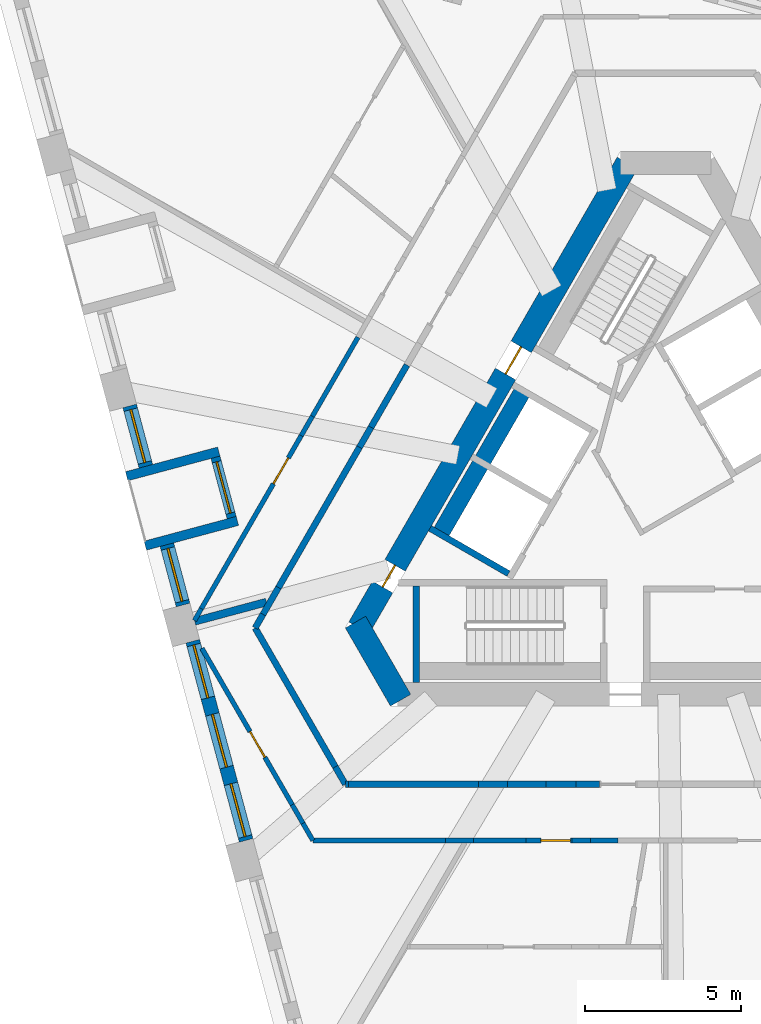
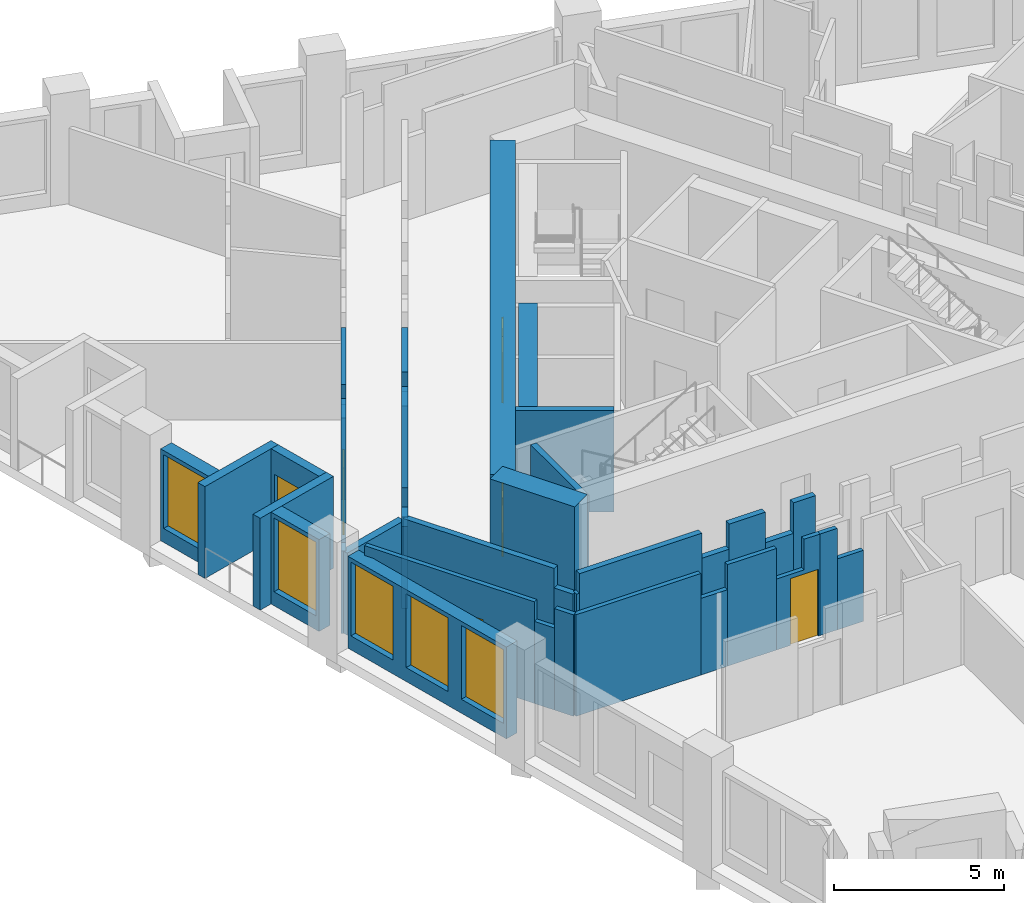
# One storey, part 3 of 13: 38 walls, 6 doors, 5 windows, 11 openings.
"""IFC4 building model written with IfcOpenShell, lengths in metres."""

from ifc_helpers import new_model, si_unit, direction, frame, frame_2d, origin, place, context, subcontext, project, spatial, polyline, rectangle, outline, extrude, material, layer, layer_set, type_object, element, fill, save


model = new_model("IFC4")

# Units and contexts
model_context = context("Model", 3, precision=1e-05, world=origin(), true_north=direction((0.0, 1.0)))
body_context = subcontext(model_context, "Body", "Model", "MODEL_VIEW")
ifc_project = project(units=[si_unit("LENGTHUNIT", "METRE"), si_unit("AREAUNIT", "SQUARE_METRE"), si_unit("VOLUMEUNIT", "CUBIC_METRE"), si_unit("PLANEANGLEUNIT", "RADIAN"), si_unit("MASSUNIT", "GRAM", prefix="KILO")], contexts=[model_context])

# Site, building, storey
site_placement = place(None, origin())
site = spatial("IfcSite", under=ifc_project, at=site_placement, CompositionType="ELEMENT")
building_placement = place(site_placement, origin())
building = spatial("IfcBuilding", under=site, at=building_placement, Name="Tramontana Tower", CompositionType="ELEMENT")
storey_placement = place(building_placement, frame((0.0, 0.0, 200.0)))
storey = spatial("IfcBuildingStorey", under=building, at=storey_placement, Name="L46", CompositionType="ELEMENT", Elevation=200.0)

# Wall, openings, doors
ifc_material_1 = material(Name="Concrete 70 MPa", Category="concrete")
ifc_layer_1 = layer(ifc_material_1, 0.75)
ifc_layer_set_1 = layer_set([ifc_layer_1], Name="Core wall 750 70 MPa")
wall_type_1 = type_object("IfcWallType", Name="Core wall 750 70 MPa", PredefinedType="SHEAR", material=ifc_layer_set_1)
wall_1_placement = place(storey_placement, frame((-1.226806640625, 10.625, 0.0), z_axis=(0.0, 0.0, 1.0), x_axis=(-0.500002161919, -0.866024155596, 0.0)))
wall_1 = element("IfcWall", 1, at=wall_1_placement, inside=storey, type_object=wall_type_1, Name="Core wall C1 L46", PredefinedType="SHEAR", context=body_context, shape_type="SweptSolid", body=[
    extrude(rectangle(XDim=17.17626953125, YDim=0.75, at=frame_2d((8.588134765625, 0.0))), origin(), (0.0, 0.0, 1.0), 4.0),
])
opening_1_placement = place(wall_1_placement, frame((6.79296875, 0.0, 0.0)))
opening_1 = element("IfcOpeningElement", 2, at=opening_1_placement, cuts=wall_1, Name="Opening RG1", PredefinedType="OPENING", context=body_context, shape_type="SweptSolid", body=[
    extrude(rectangle(XDim=1.0, YDim=2.39990234375, at=frame_2d((0.5, 1.199951171875))), frame((0.0, 0.385009765625, 0.0), z_axis=(0.0, -1.0, 0.0), x_axis=(1.0, 0.0, 0.0)), (0.0, 0.0, 1.0), 0.77001953125),
])
opening_2_placement = place(wall_1_placement, frame((14.863525390625, 0.0, 0.0)))
opening_2 = element("IfcOpeningElement", 3, at=opening_2_placement, cuts=wall_1, Name="Opening PD1", PredefinedType="OPENING", context=body_context, shape_type="SweptSolid", body=[
    extrude(rectangle(XDim=0.800048828125, YDim=2.10009765625, at=frame_2d((0.39990234375, 1.050048828125))), frame((0.0, 0.385009765625, 0.0), z_axis=(0.0, -1.0, 0.0), x_axis=(1.0, 0.0, 0.0)), (0.0, 0.0, 1.0), 0.77001953125),
])
ifc_material_2 = material(Name="Painted steel", Category="steel")
door_type_1 = type_object("IfcDoorType", Name="CUPBOARD DOOR 800", OperationType="SINGLE_SWING_LEFT", PredefinedType="DOOR", material=ifc_material_2)
door_1_placement = place(opening_2_placement, origin())
door_1 = element("IfcDoor", 4, at=door_1_placement, inside=storey, type_object=door_type_1, Name="Door PD1", OperationType="SINGLE_SWING_RIGHT", OverallHeight=2.10009765625, OverallWidth=0.800048828125, PredefinedType="DOOR", context=body_context, shape_type="SweptSolid", body=[
    extrude(rectangle(XDim=0.800048828125, YDim=2.10009765625, at=frame_2d((0.39990234375, 1.050048828125))), frame((0.0, 0.02490234375, 0.0), z_axis=(0.0, -1.0, 0.0), x_axis=(1.0, 0.0, 0.0)), (0.0, 0.0, 1.0), 0.050048828125),
])
fill(opening_2, door_1)
ifc_material_3 = material(Name="Painted steel", Category="steel")
door_type_2 = type_object("IfcDoorType", Name="RING DOOR 1000", OperationType="SINGLE_SWING_LEFT", PredefinedType="DOOR", material=ifc_material_3)
door_2_placement = place(opening_1_placement, origin())
door_2 = element("IfcDoor", 5, at=door_2_placement, inside=storey, type_object=door_type_2, Name="Door RG1", OperationType="SINGLE_SWING_LEFT", OverallHeight=2.39990234375, OverallWidth=1.0, PredefinedType="DOOR", context=body_context, shape_type="SweptSolid", body=[
    extrude(rectangle(XDim=1.0, YDim=2.39990234375, at=frame_2d((0.5, 1.199951171875))), frame((0.0, 0.02490234375, 0.0), z_axis=(0.0, -1.0, 0.0), x_axis=(1.0, 0.0, 0.0)), (0.0, 0.0, 1.0), 0.050048828125),
])
fill(opening_1, door_2)

# Walls
wall_2_placement = place(storey_placement, frame((-9.923095703125, -4.0625, 0.0), z_axis=(0.0, 0.0, 1.0), x_axis=(0.499995765644, -0.866027848477, 0.0)))
element("IfcWall", 6, at=wall_2_placement, inside=storey, type_object=wall_type_1, Name="Core wall C2 L46", PredefinedType="SHEAR", context=body_context, shape_type="SweptSolid", body=[
    extrude(rectangle(XDim=2.88671875, YDim=0.75, at=frame_2d((1.443359375, 0.0))), origin(), (0.0, 0.0, 1.0), 4.0),
])
ifc_material_4 = material(Name="Blockwork", Category="masonry")
ifc_layer_2 = layer(ifc_material_4, 0.199951171875)
ifc_layer_set_2 = layer_set([ifc_layer_2], Name="ENTRY WALL 200")
wall_type_2 = type_object("IfcWallType", Name="ENTRY WALL 200", PredefinedType="SOLIDWALL", material=ifc_layer_set_2)
wall_3_placement = place(storey_placement, frame((-2.1220703125, -9.25, 0.0), z_axis=(0.0, 0.0, 1.0), x_axis=(-1.0, 0.0, 0.0)))
element("IfcWall", 7, at=wall_3_placement, inside=storey, type_object=wall_type_2, Name="Wall v50-ew2-8", PredefinedType="SOLIDWALL", context=body_context, shape_type="SweptSolid", body=[
    extrude(rectangle(XDim=0.749755859375, YDim=0.199951171875, at=frame_2d((0.375, 0.0))), origin(), (0.0, 0.0, 1.0), 3.64990234375),
])
wall_4_placement = place(storey_placement, frame((-2.871826171875, -9.25, 0.0), z_axis=(0.0, 0.0, 1.0), x_axis=(-1.0, 0.0, 0.0)))
element("IfcWall", 8, at=wall_4_placement, inside=storey, type_object=wall_type_2, Name="Wall v50-ew2-9", PredefinedType="SOLIDWALL", context=body_context, shape_type="SweptSolid", body=[
    extrude(rectangle(XDim=0.957275390625, YDim=0.199951171875, at=frame_2d((0.478515625, 0.0))), origin(), (0.0, 0.0, 1.0), 2.550048828125),
])
wall_5_placement = place(storey_placement, frame((-3.8291015625, -9.25, 0.0), z_axis=(0.0, 0.0, 1.0), x_axis=(-1.0, 0.0, 0.0)))
element("IfcWall", 9, at=wall_5_placement, inside=storey, type_object=wall_type_2, Name="Wall v50-ew2-10", PredefinedType="SOLIDWALL", context=body_context, shape_type="SweptSolid", body=[
    extrude(rectangle(XDim=1.22705078125, YDim=0.199951171875, at=frame_2d((0.613525390625, 0.0))), origin(), (0.0, 0.0, 1.0), 3.64990234375),
])
wall_6_placement = place(storey_placement, frame((-5.05615234375, -9.25, 0.0), z_axis=(0.0, 0.0, 1.0), x_axis=(-1.0, 0.0, 0.0)))
element("IfcWall", 10, at=wall_6_placement, inside=storey, type_object=wall_type_2, Name="Wall v50-ew2-11", PredefinedType="SOLIDWALL", context=body_context, shape_type="SweptSolid", body=[
    extrude(rectangle(XDim=0.931640625, YDim=0.199951171875, at=frame_2d((0.4658203125, 0.0))), origin(), (0.0, 0.0, 1.0), 2.75),
])
wall_7_placement = place(storey_placement, frame((-5.98779296875, -9.25, 0.0), z_axis=(0.0, 0.0, 1.0), x_axis=(-1.0, 0.0, 0.0)))
element("IfcWall", 11, at=wall_7_placement, inside=storey, type_object=wall_type_2, Name="Wall v50-ew2-12", PredefinedType="SOLIDWALL", context=body_context, shape_type="SweptSolid", body=[
    extrude(rectangle(XDim=4.1552734375, YDim=0.199951171875, at=frame_2d((2.07763671875, 0.0))), origin(), (0.0, 0.0, 1.0), 3.64990234375),
])
wall_8_placement = place(storey_placement, frame((-10.14306640625, -9.25, 0.0), z_axis=(0.0, 0.0, 1.0), x_axis=(-1.0, 0.0, 0.0)))
element("IfcWall", 12, at=wall_8_placement, inside=storey, type_object=wall_type_2, Name="Wall v50-ew2-13", PredefinedType="SOLIDWALL", context=body_context, shape_type="SweptSolid", body=[
    extrude(rectangle(XDim=0.10498046875, YDim=0.199951171875, at=frame_2d((0.052490234375, 0.0))), origin(), (0.0, 0.0, 1.0), 2.949951171875),
])
wall_9_placement = place(storey_placement, frame((-10.248046875, -9.25, 0.0), z_axis=(0.0, 0.0, 1.0), x_axis=(-0.499733411443, 0.86617926406, 0.0)))
element("IfcWall", 13, at=wall_9_placement, inside=storey, type_object=wall_type_2, Name="Wall v50-ew3-0", PredefinedType="SOLIDWALL", context=body_context, shape_type="SweptSolid", body=[
    extrude(rectangle(XDim=0.642822265625, YDim=0.199951171875, at=frame_2d((0.3212890625, 0.0))), origin(), (0.0, 0.0, 1.0), 2.949951171875),
])
wall_10_placement = place(storey_placement, frame((-10.5693359375, -8.693115234375, 0.0), z_axis=(0.0, 0.0, 1.0), x_axis=(-0.500028638513, 0.8660088687, 0.0)))
element("IfcWall", 14, at=wall_10_placement, inside=storey, type_object=wall_type_2, Name="Wall v50-ew3-1", PredefinedType="SOLIDWALL", context=body_context, shape_type="SweptSolid", body=[
    extrude(rectangle(XDim=5.130615234375, YDim=0.199951171875, at=frame_2d((2.5654296875, 0.0))), origin(), (0.0, 0.0, 1.0), 3.64990234375),
])
wall_11_placement = place(storey_placement, frame((-13.134765625, -4.25, 0.0), z_axis=(0.0, 0.0, 1.0), x_axis=(0.500002592159, 0.866023907196, 0.0)))
element("IfcWall", 15, at=wall_11_placement, inside=storey, type_object=wall_type_2, Name="Wall v50-ew4-0", PredefinedType="SOLIDWALL", context=body_context, shape_type="SweptSolid", body=[
    extrude(rectangle(XDim=0.5029296875, YDim=0.199951171875, at=frame_2d((0.25146484375, 0.0))), origin(), (0.0, 0.0, 1.0), 3.64990234375),
])
wall_12_placement = place(storey_placement, frame((-12.88330078125, -3.814453125, 0.0), z_axis=(0.0, 0.0, 1.0), x_axis=(0.500063959222, 0.865988473761, 0.0)))
element("IfcWall", 16, at=wall_12_placement, inside=storey, type_object=wall_type_2, Name="Wall v50-ew4-1", PredefinedType="SOLIDWALL", context=body_context, shape_type="SweptSolid", body=[
    extrude(rectangle(XDim=0.989990234375, YDim=0.199951171875, at=frame_2d((0.4951171875, 0.0))), origin(), (0.0, 0.0, 1.0), 2.949951171875),
])
wall_13_placement = place(storey_placement, frame((-12.38818359375, -2.95703125, 0.0), z_axis=(0.0, 0.0, 1.0), x_axis=(0.499990271856, 0.866031020258, 0.0)))
element("IfcWall", 17, at=wall_13_placement, inside=storey, type_object=wall_type_2, Name="Wall v50-ew4-2", PredefinedType="SOLIDWALL", context=body_context, shape_type="SweptSolid", body=[
    extrude(rectangle(XDim=5.181640625, YDim=0.199951171875, at=frame_2d((2.5908203125, 0.0))), origin(), (0.0, 0.0, 1.0), 3.64990234375),
])
wall_14_placement = place(storey_placement, frame((-9.79736328125, 1.530517578125, 0.0), z_axis=(0.0, 0.0, 1.0), x_axis=(0.499931655587, 0.866064858854, 0.0)))
element("IfcWall", 18, at=wall_14_placement, inside=storey, type_object=wall_type_2, Name="Wall v50-ew4-3", PredefinedType="SOLIDWALL", context=body_context, shape_type="SweptSolid", body=[
    extrude(rectangle(XDim=0.74072265625, YDim=0.199951171875, at=frame_2d((0.370361328125, 0.0))), origin(), (0.0, 0.0, 1.0), 2.949951171875),
])
wall_15_placement = place(storey_placement, frame((-9.427001953125, 2.172119140625, 0.0), z_axis=(0.0, 0.0, 1.0), x_axis=(0.500013761451, 0.866017458461, 0.0)))
element("IfcWall", 19, at=wall_15_placement, inside=storey, type_object=wall_type_2, Name="Wall v50-ew4-4", PredefinedType="SOLIDWALL", context=body_context, shape_type="SweptSolid", body=[
    extrude(rectangle(XDim=2.29736328125, YDim=0.199951171875, at=frame_2d((1.148681640625, 0.0))), origin(), (0.0, 0.0, 1.0), 3.64990234375),
])

# Wall, opening, window
ifc_material_5 = material(Name="Precast concrete 60 MPa", Category="concrete")
ifc_layer_3 = layer(ifc_material_5, 0.449951171875)
ifc_layer_set_3 = layer_set([ifc_layer_3], Name="Precast concrete 60 MPa, 450 mm")
wall_type_3 = type_object("IfcWallType", Name="EW1 Stone-faced precast wall 450", PredefinedType="SOLIDWALL", material=ifc_layer_set_3)
wall_16_placement = place(storey_placement, frame((-17.147705078125, 2.853271484375, 0.0), z_axis=(0.0, 0.0, 1.0), x_axis=(0.258803270362, -0.96593005298, 0.0)))
wall_16 = element("IfcWall", 20, at=wall_16_placement, inside=storey, type_object=wall_type_3, Name="External wall L46 face 0 bay 3", PredefinedType="SOLIDWALL", context=body_context, shape_type="SweptSolid", body=[
    extrude(rectangle(XDim=1.998046875, YDim=0.449951171875, at=frame_2d((0.9990234375, 0.0))), origin(), (0.0, 0.0, 1.0), 3.300048828125),
])
opening_3_placement = place(wall_16_placement, frame((0.1240234375, 0.0, 0.5)))
opening_3 = element("IfcOpeningElement", 21, at=opening_3_placement, cuts=wall_16, Name="Opening M2", PredefinedType="OPENING", context=body_context, shape_type="SweptSolid", body=[
    extrude(rectangle(XDim=1.75, YDim=2.64990234375, at=frame_2d((0.875, 1.324951171875))), frame((0.0, 0.23486328125, 0.0), z_axis=(0.0, -1.0, 0.0), x_axis=(1.0, 0.0, 0.0)), (0.0, 0.0, 1.0), 0.469970703125),
])
ifc_material_6 = material(Name="Aluminum frame, double glazing unit", Category="aluminium")
window_type = type_object("IfcWindowType", Name="M2 Window 1.75 x 2.65", PartitioningType="SINGLE_PANEL", PredefinedType="WINDOW", material=ifc_material_6)
window_1_placement = place(opening_3_placement, origin())
window_1 = element("IfcWindow", 22, at=window_1_placement, inside=storey, type_object=window_type, Name="Window M2 L46 face 0 module 7", OverallHeight=2.64990234375, OverallWidth=1.75, PartitioningType="SINGLE_PANEL", PredefinedType="WINDOW", context=body_context, shape_type="SweptSolid", body=[
    extrude(rectangle(XDim=1.75, YDim=2.64990234375, at=frame_2d((0.875, 1.324951171875))), frame((0.0, 0.030029296875, 0.0), z_axis=(0.0, -1.0, 0.0), x_axis=(1.0, 0.0, 0.0)), (0.0, 0.0, 1.0), 0.06005859375),
])
fill(opening_3, window_1)

wall_17_placement = place(storey_placement, frame((-15.958251953125, -1.586181640625, 0.0), z_axis=(0.0, 0.0, 1.0), x_axis=(0.258772727493, -0.965938235865, 0.0)))
wall_17 = element("IfcWall", 23, at=wall_17_placement, inside=storey, type_object=wall_type_3, Name="External wall L46 face 0 bay 3", PredefinedType="SOLIDWALL", context=body_context, shape_type="SweptSolid", body=[
    extrude(rectangle(XDim=1.998291015625, YDim=0.449951171875, at=frame_2d((0.9990234375, 0.0))), origin(), (0.0, 0.0, 1.0), 3.300048828125),
])
opening_4_placement = place(wall_17_placement, frame((0.1240234375, 0.0, 0.5)))
opening_4 = element("IfcOpeningElement", 24, at=opening_4_placement, cuts=wall_17, Name="Opening M2", PredefinedType="OPENING", context=body_context, shape_type="SweptSolid", body=[
    extrude(rectangle(XDim=1.75, YDim=2.64990234375, at=frame_2d((0.875, 1.324951171875))), frame((0.0, 0.23486328125, 0.0), z_axis=(0.0, -1.0, 0.0), x_axis=(1.0, 0.0, 0.0)), (0.0, 0.0, 1.0), 0.469970703125),
])
window_2_placement = place(opening_4_placement, origin())
window_2 = element("IfcWindow", 25, at=window_2_placement, inside=storey, type_object=window_type, Name="Window M2 L46 face 0 module 9", OverallHeight=2.64990234375, OverallWidth=1.75, PartitioningType="SINGLE_PANEL", PredefinedType="WINDOW", context=body_context, shape_type="SweptSolid", body=[
    extrude(rectangle(XDim=1.75, YDim=2.64990234375, at=frame_2d((0.875, 1.324951171875))), frame((0.0, 0.030029296875, 0.0), z_axis=(0.0, -1.0, 0.0), x_axis=(1.0, 0.0, 0.0)), (0.0, 0.0, 1.0), 0.06005859375),
])
fill(opening_4, window_2)

# Wall, openings, windows
wall_18_placement = place(storey_placement, frame((-15.13037109375, -4.67529296875, 0.0), z_axis=(0.0, 0.0, 1.0), x_axis=(0.258791602952, -0.965933178973, 0.0)))
wall_18 = element("IfcWall", 26, at=wall_18_placement, inside=storey, type_object=wall_type_3, Name="External wall L46 face 0 bay 4", PredefinedType="SOLIDWALL", context=body_context, shape_type="SweptSolid", body=[
    extrude(rectangle(XDim=6.59423828125, YDim=0.449951171875, at=frame_2d((3.297119140625, 0.0))), origin(), (0.0, 0.0, 1.0), 3.300048828125),
])
opening_5_placement = place(wall_18_placement, frame((0.1240234375, 0.0, 0.5)))
opening_5 = element("IfcOpeningElement", 27, at=opening_5_placement, cuts=wall_18, Name="Opening M2", PredefinedType="OPENING", context=body_context, shape_type="SweptSolid", body=[
    extrude(rectangle(XDim=1.75, YDim=2.64990234375, at=frame_2d((0.875, 1.324951171875))), frame((0.0, 0.23486328125, 0.0), z_axis=(0.0, -1.0, 0.0), x_axis=(1.0, 0.0, 0.0)), (0.0, 0.0, 1.0), 0.469970703125),
])
opening_6_placement = place(wall_18_placement, frame((2.422119140625, 0.0, 0.5)))
opening_6 = element("IfcOpeningElement", 28, at=opening_6_placement, cuts=wall_18, Name="Opening M2", PredefinedType="OPENING", context=body_context, shape_type="SweptSolid", body=[
    extrude(rectangle(XDim=1.75, YDim=2.64990234375, at=frame_2d((0.875, 1.324951171875))), frame((0.0, 0.23486328125, 0.0), z_axis=(0.0, -1.0, 0.0), x_axis=(1.0, 0.0, 0.0)), (0.0, 0.0, 1.0), 0.469970703125),
])
opening_7_placement = place(wall_18_placement, frame((4.72021484375, 0.0, 0.5)))
opening_7 = element("IfcOpeningElement", 29, at=opening_7_placement, cuts=wall_18, Name="Opening M2", PredefinedType="OPENING", context=body_context, shape_type="SweptSolid", body=[
    extrude(rectangle(XDim=1.75, YDim=2.64990234375, at=frame_2d((0.875, 1.324951171875))), frame((0.0, 0.23486328125, 0.0), z_axis=(0.0, -1.0, 0.0), x_axis=(1.0, 0.0, 0.0)), (0.0, 0.0, 1.0), 0.469970703125),
])
window_3_placement = place(opening_5_placement, origin())
window_3 = element("IfcWindow", 30, at=window_3_placement, inside=storey, type_object=window_type, Name="Window M2 L46 face 0 module 10", OverallHeight=2.64990234375, OverallWidth=1.75, PartitioningType="SINGLE_PANEL", PredefinedType="WINDOW", context=body_context, shape_type="SweptSolid", body=[
    extrude(rectangle(XDim=1.75, YDim=2.64990234375, at=frame_2d((0.875, 1.324951171875))), frame((0.0, 0.030029296875, 0.0), z_axis=(0.0, -1.0, 0.0), x_axis=(1.0, 0.0, 0.0)), (0.0, 0.0, 1.0), 0.06005859375),
])
fill(opening_5, window_3)
window_4_placement = place(opening_6_placement, origin())
window_4 = element("IfcWindow", 31, at=window_4_placement, inside=storey, type_object=window_type, Name="Window M2 L46 face 0 module 11", OverallHeight=2.64990234375, OverallWidth=1.75, PartitioningType="SINGLE_PANEL", PredefinedType="WINDOW", context=body_context, shape_type="SweptSolid", body=[
    extrude(rectangle(XDim=1.75, YDim=2.64990234375, at=frame_2d((0.875, 1.324951171875))), frame((0.0, 0.030029296875, 0.0), z_axis=(0.0, -1.0, 0.0), x_axis=(1.0, 0.0, 0.0)), (0.0, 0.0, 1.0), 0.06005859375),
])
fill(opening_6, window_4)
window_5_placement = place(opening_7_placement, origin())
window_5 = element("IfcWindow", 32, at=window_5_placement, inside=storey, type_object=window_type, Name="Window M2 L46 face 0 module 12", OverallHeight=2.64990234375, OverallWidth=1.75, PartitioningType="SINGLE_PANEL", PredefinedType="WINDOW", context=body_context, shape_type="SweptSolid", body=[
    extrude(rectangle(XDim=1.75, YDim=2.64990234375, at=frame_2d((0.875, 1.324951171875))), frame((0.0, 0.030029296875, 0.0), z_axis=(0.0, -1.0, 0.0), x_axis=(1.0, 0.0, 0.0)), (0.0, 0.0, 1.0), 0.06005859375),
])
fill(opening_7, window_5)

# Wall, opening, door
ifc_material_7 = material(Name="Precast concrete 60 MPa", Category="concrete")
ifc_layer_4 = layer(ifc_material_7, 0.300048828125)
ifc_layer_set_4 = layer_set([ifc_layer_4], Name="LW1 Stone-faced loggia wall 300")
wall_type_4 = type_object("IfcWallType", Name="LW1 Stone-faced loggia wall 300", PredefinedType="SOLIDWALL", material=ifc_layer_set_4)
wall_19_placement = place(storey_placement, frame((-14.40380859375, 1.20947265625, 0.0), z_axis=(0.0, 0.0, 1.0), x_axis=(0.258772727493, -0.965938235865, 0.0)))
wall_19 = element("IfcWall", 33, at=wall_19_placement, inside=storey, type_object=wall_type_4, Name="Loggia wall L46 G5S0.7", PredefinedType="SOLIDWALL", context=body_context, shape_type="SweptSolid", body=[
    extrude(rectangle(XDim=1.998291015625, YDim=0.300048828125, at=frame_2d((0.9990234375, 0.0))), origin(), (0.0, 0.0, 1.0), 3.300048828125),
])
opening_8_placement = place(wall_19_placement, frame((0.14892578125, 0.0, 0.0)))
opening_8 = element("IfcOpeningElement", 34, at=opening_8_placement, cuts=wall_19, Name="Opening BD-5S0-07", PredefinedType="OPENING", context=body_context, shape_type="SweptSolid", body=[
    extrude(rectangle(XDim=1.699951171875, YDim=2.449951171875, at=frame_2d((0.85009765625, 1.22509765625))), frame((0.0, 0.159912109375, 0.0), z_axis=(0.0, -1.0, 0.0), x_axis=(1.0, 0.0, 0.0)), (0.0, 0.0, 1.0), 0.320068359375),
])
ifc_material_8 = material(Name="Aluminum frame, double glazing unit", Category="aluminium")
door_type_3 = type_object("IfcDoorType", Name="BD2 Sliding door 1.7 x 2.45", OperationType="SLIDING_TO_LEFT", PredefinedType="DOOR", material=ifc_material_8)
door_3_placement = place(opening_8_placement, origin())
door_3 = element("IfcDoor", 35, at=door_3_placement, inside=storey, type_object=door_type_3, Name="Loggia door L46 G5S0.7", OperationType="SLIDING_TO_LEFT", OverallHeight=2.449951171875, OverallWidth=1.699951171875, PredefinedType="DOOR", context=body_context, shape_type="SweptSolid", body=[
    extrude(rectangle(XDim=1.699951171875, YDim=2.449951171875, at=frame_2d((0.85009765625, 1.22509765625))), frame((0.0, 0.02490234375, 0.0), z_axis=(0.0, -1.0, 0.0), x_axis=(1.0, 0.0, 0.0)), (0.0, 0.0, 1.0), 0.050048828125),
])
fill(opening_8, door_3)

# Walls
for number, where, z_axis, x_axis, name in (
    (36, (-17.243896484375, 0.603759765625, 0.0), (0.0, 0.0, 1.0), (0.965932688119, 0.258793435045, 0.0), "Loggia return L46 G5S0.7a"),
    (37, (-16.64892578125, -1.615966796875, 0.0), (0.0, 0.0, 1.0), (0.965932688119, 0.258793435045, 0.0), "Loggia return L46 G5S0.7b"),
):
    element("IfcWall", number, at=place(storey_placement, frame(where, z_axis=z_axis, x_axis=x_axis)), inside=storey, type_object=wall_type_4, Name=name, PredefinedType="SOLIDWALL", context=body_context, shape_type="SweptSolid", body=[
        extrude(rectangle(XDim=3.050048828125, YDim=0.300048828125, at=frame_2d((1.52490234375, 0.0))), origin(), (0.0, 0.0, 1.0), 3.300048828125),
    ])
ifc_material_9 = material(Name="Gypsum board partition")
ifc_layer_5 = layer(ifc_material_9, 0.14990234375)
ifc_layer_set_5 = layer_set([ifc_layer_5], Name="PARTITION 150")
wall_type_5 = type_object("IfcWallType", Name="PARTITION 150", PredefinedType="PARTITIONING", material=ifc_layer_set_5)
wall_20_placement = place(storey_placement, frame((-15.075439453125, -4.011474609375, 0.0), z_axis=(0.0, 0.0, 1.0), x_axis=(0.500027377864, 0.86600959659, 0.0)))
element("IfcWall", 38, at=wall_20_placement, inside=storey, type_object=wall_type_5, Name="Wall v50-pw00-0", PredefinedType="PARTITIONING", context=body_context, shape_type="SweptSolid", body=[
    extrude(rectangle(XDim=0.43896484375, YDim=0.14990234375, at=frame_2d((0.219482421875, 0.0))), origin(), (0.0, 0.0, 1.0), 2.949951171875),
])

# Wall, opening, door
wall_21_placement = place(storey_placement, frame((-14.85595703125, -3.63134765625, 0.0), z_axis=(0.0, 0.0, 1.0), x_axis=(0.49999366119, 0.866029063467, 0.0)))
wall_21 = element("IfcWall", 39, at=wall_21_placement, inside=storey, type_object=wall_type_5, Name="Wall v50-pw00-1", PredefinedType="PARTITIONING", context=body_context, shape_type="SweptSolid", body=[
    extrude(rectangle(XDim=6.3896484375, YDim=0.14990234375, at=frame_2d((3.19482421875, 0.0))), origin(), (0.0, 0.0, 1.0), 3.64990234375),
])
opening_9_placement = place(wall_21_placement, frame((4.611328125, 0.0, 0.0)))
opening_9 = element("IfcOpeningElement", 40, at=opening_9_placement, cuts=wall_21, Name="Opening B5A-04", PredefinedType="OPENING", context=body_context, shape_type="SweptSolid", body=[
    extrude(rectangle(XDim=0.949951171875, YDim=2.39990234375, at=frame_2d((0.47509765625, 1.199951171875))), frame((0.0, 0.0849609375, 0.0), z_axis=(0.0, -1.0, 0.0), x_axis=(1.0, 0.0, 0.0)), (0.0, 0.0, 1.0), 0.169921875),
])
ifc_material_10 = material(Name="Painted timber", Category="wood")
door_type_4 = type_object("IfcDoorType", Name="DOOR ROOM 950", OperationType="SINGLE_SWING_LEFT", PredefinedType="DOOR", material=ifc_material_10)
door_4_placement = place(opening_9_placement, origin())
door_4 = element("IfcDoor", 41, at=door_4_placement, inside=storey, type_object=door_type_4, Name="Door B5A-04", OperationType="SINGLE_SWING_RIGHT", OverallHeight=2.39990234375, OverallWidth=0.949951171875, PredefinedType="DOOR", context=body_context, shape_type="SweptSolid", body=[
    extrude(rectangle(XDim=0.949951171875, YDim=2.39990234375, at=frame_2d((0.47509765625, 1.199951171875))), frame((0.0, 0.02490234375, 0.0), z_axis=(0.0, -1.0, 0.0), x_axis=(1.0, 0.0, 0.0)), (0.0, 0.0, 1.0), 0.050048828125),
])
fill(opening_9, door_4)

# Walls
wall_22_placement = place(storey_placement, frame((-11.6611328125, 1.90234375, 0.0), z_axis=(0.0, 0.0, 1.0), x_axis=(0.499998569178, 0.866026229868, 0.0)))
element("IfcWall", 42, at=wall_22_placement, inside=storey, type_object=wall_type_5, Name="Wall v50-pw00-2", PredefinedType="PARTITIONING", context=body_context, shape_type="SweptSolid", body=[
    extrude(rectangle(XDim=0.71435546875, YDim=0.14990234375, at=frame_2d((0.357177734375, 0.0))), origin(), (0.0, 0.0, 1.0), 2.949951171875),
])
wall_23_placement = place(storey_placement, frame((-11.303955078125, 2.52099609375, 0.0), z_axis=(0.0, 0.0, 1.0), x_axis=(0.49998782916, 0.866032430508, 0.0)))
element("IfcWall", 43, at=wall_23_placement, inside=storey, type_object=wall_type_5, Name="Wall v50-pw00-3", PredefinedType="PARTITIONING", context=body_context, shape_type="SweptSolid", body=[
    extrude(rectangle(XDim=2.919921875, YDim=0.14990234375, at=frame_2d((1.4599609375, 0.0))), origin(), (0.0, 0.0, 1.0), 3.64990234375),
])
wall_24_placement = place(storey_placement, frame((-11.287109375, -11.050048828125, 0.0), z_axis=(0.0, 0.0, 1.0), x_axis=(-0.500187988959, 0.865916841101, 0.0)))
element("IfcWall", 44, at=wall_24_placement, inside=storey, type_object=wall_type_5, Name="Wall v50-pw03-0", PredefinedType="PARTITIONING", context=body_context, shape_type="SweptSolid", body=[
    extrude(rectangle(XDim=0.635498046875, YDim=0.14990234375, at=frame_2d((0.31787109375, 0.0))), origin(), (0.0, 0.0, 1.0), 3.64990234375),
])
wall_25_placement = place(storey_placement, frame((-11.60498046875, -10.499755859375, 0.0), z_axis=(0.0, 0.0, 1.0), x_axis=(-0.499845467243, 0.866114604932, 0.0)))
element("IfcWall", 45, at=wall_25_placement, inside=storey, type_object=wall_type_5, Name="Wall v50-pw03-1", PredefinedType="PARTITIONING", context=body_context, shape_type="SweptSolid", body=[
    extrude(rectangle(XDim=0.687255859375, YDim=0.14990234375, at=frame_2d((0.34375, 0.0))), origin(), (0.0, 0.0, 1.0), 2.949951171875),
])

# Wall, opening, door
wall_26_placement = place(storey_placement, frame((-11.948486328125, -9.904541015625, 0.0), z_axis=(0.0, 0.0, 1.0), x_axis=(-0.500016344183, 0.86601596726, 0.0)))
wall_26 = element("IfcWall", 46, at=wall_26_placement, inside=storey, type_object=wall_type_5, Name="Wall v50-pw03-2", PredefinedType="PARTITIONING", context=body_context, shape_type="SweptSolid", body=[
    extrude(rectangle(XDim=5.776611328125, YDim=0.14990234375, at=frame_2d((2.88818359375, 0.0))), origin(), (0.0, 0.0, 1.0), 3.64990234375),
])
opening_10_placement = place(wall_26_placement, frame((1.751953125, 0.0, 0.0)))
opening_10 = element("IfcOpeningElement", 47, at=opening_10_placement, cuts=wall_26, Name="Opening B5A-06", PredefinedType="OPENING", context=body_context, shape_type="SweptSolid", body=[
    extrude(rectangle(XDim=0.949951171875, YDim=2.39990234375, at=frame_2d((0.47509765625, 1.199951171875))), frame((0.0, 0.0849609375, 0.0), z_axis=(0.0, -1.0, 0.0), x_axis=(1.0, 0.0, 0.0)), (0.0, 0.0, 1.0), 0.169921875),
])
door_5_placement = place(opening_10_placement, origin())
door_5 = element("IfcDoor", 48, at=door_5_placement, inside=storey, type_object=door_type_4, Name="Door B5A-06", OperationType="SINGLE_SWING_RIGHT", OverallHeight=2.39990234375, OverallWidth=0.949951171875, PredefinedType="DOOR", context=body_context, shape_type="SweptSolid", body=[
    extrude(rectangle(XDim=0.949951171875, YDim=2.39990234375, at=frame_2d((0.47509765625, 1.199951171875))), frame((0.0, 0.02490234375, 0.0), z_axis=(0.0, -1.0, 0.0), x_axis=(1.0, 0.0, 0.0)), (0.0, 0.0, 1.0), 0.050048828125),
])
fill(opening_10, door_5)

# Walls
wall_27_placement = place(storey_placement, frame((-1.521728515625, -11.050048828125, 0.0), z_axis=(0.0, 0.0, 1.0), x_axis=(-1.0, 0.0, 0.0)))
element("IfcWall", 49, at=wall_27_placement, inside=storey, type_object=wall_type_5, Name="Wall v50-pw24-6", PredefinedType="PARTITIONING", context=body_context, shape_type="SweptSolid", body=[
    extrude(rectangle(XDim=0.888671875, YDim=0.14990234375, at=frame_2d((0.4443359375, 0.0))), origin(), (0.0, 0.0, 1.0), 2.550048828125),
])
wall_28_placement = place(storey_placement, frame((-2.410400390625, -11.050048828125, 0.0), z_axis=(0.0, 0.0, 1.0), x_axis=(-1.0, 0.0, 0.0)))
element("IfcWall", 50, at=wall_28_placement, inside=storey, type_object=wall_type_5, Name="Wall v50-pw24-7", PredefinedType="PARTITIONING", context=body_context, shape_type="SweptSolid", body=[
    extrude(rectangle(XDim=0.58544921875, YDim=0.14990234375, at=frame_2d((0.292724609375, 0.0))), origin(), (0.0, 0.0, 1.0), 3.64990234375),
])

# Wall, opening, door
wall_29_placement = place(storey_placement, frame((-2.995849609375, -11.050048828125, 0.0), z_axis=(0.0, 0.0, 1.0), x_axis=(-1.0, 0.0, 0.0)))
wall_29 = element("IfcWall", 51, at=wall_29_placement, inside=storey, type_object=wall_type_5, Name="Wall v50-pw24-8", PredefinedType="PARTITIONING", context=body_context, shape_type="SweptSolid", body=[
    extrude(outline(polyline([(0.0, 0.0), (1.471923828125, 0.0), (1.471923828125, 2.550048828125), (0.541259765625, 2.550048828125), (0.541259765625, 3.64990234375), (0.0, 3.64990234375), (0.0, 0.0)])), frame((0.0, 0.074951171875, 0.0), z_axis=(0.0, -1.0, 0.0), x_axis=(1.0, 0.0, 0.0)), (0.0, 0.0, 1.0), 0.14990234375),
])
opening_11_placement = place(wall_29_placement, frame((0.050048828125, 0.0, 0.0)))
opening_11 = element("IfcOpeningElement", 52, at=opening_11_placement, cuts=wall_29, Name="Opening B5A-05", PredefinedType="OPENING", context=body_context, shape_type="SweptSolid", body=[
    extrude(rectangle(XDim=0.949951171875, YDim=2.39990234375, at=frame_2d((0.47509765625, 1.199951171875))), frame((0.0, 0.0849609375, 0.0), z_axis=(0.0, -1.0, 0.0), x_axis=(1.0, 0.0, 0.0)), (0.0, 0.0, 1.0), 0.169921875),
])
door_6_placement = place(opening_11_placement, origin())
door_6 = element("IfcDoor", 53, at=door_6_placement, inside=storey, type_object=door_type_4, Name="Door B5A-05", OperationType="SINGLE_SWING_LEFT", OverallHeight=2.39990234375, OverallWidth=0.949951171875, PredefinedType="DOOR", context=body_context, shape_type="SweptSolid", body=[
    extrude(rectangle(XDim=0.949951171875, YDim=2.39990234375, at=frame_2d((0.47509765625, 1.199951171875))), frame((0.0, 0.02490234375, 0.0), z_axis=(0.0, -1.0, 0.0), x_axis=(1.0, 0.0, 0.0)), (0.0, 0.0, 1.0), 0.050048828125),
])
fill(opening_11, door_6)

# Walls
wall_30_placement = place(storey_placement, frame((-4.4677734375, -11.050048828125, 0.0), z_axis=(0.0, 0.0, 1.0), x_axis=(-1.0, 0.0, 0.0)))
element("IfcWall", 54, at=wall_30_placement, inside=storey, type_object=wall_type_5, Name="Wall v50-pw24-9", PredefinedType="PARTITIONING", context=body_context, shape_type="SweptSolid", body=[
    extrude(rectangle(XDim=1.677490234375, YDim=0.14990234375, at=frame_2d((0.8388671875, 0.0))), origin(), (0.0, 0.0, 1.0), 3.64990234375),
])
wall_31_placement = place(storey_placement, frame((-6.145263671875, -11.050048828125, 0.0), z_axis=(0.0, 0.0, 1.0), x_axis=(-1.0, 0.0, 0.0)))
element("IfcWall", 55, at=wall_31_placement, inside=storey, type_object=wall_type_5, Name="Wall v50-pw24-10", PredefinedType="PARTITIONING", context=body_context, shape_type="SweptSolid", body=[
    extrude(rectangle(XDim=0.902587890625, YDim=0.14990234375, at=frame_2d((0.451171875, 0.0))), origin(), (0.0, 0.0, 1.0), 2.75),
])
wall_32_placement = place(storey_placement, frame((-7.0478515625, -11.050048828125, 0.0), z_axis=(0.0, 0.0, 1.0), x_axis=(-1.0, 0.0, 0.0)))
element("IfcWall", 56, at=wall_32_placement, inside=storey, type_object=wall_type_5, Name="Wall v50-pw24-11", PredefinedType="PARTITIONING", context=body_context, shape_type="SweptSolid", body=[
    extrude(rectangle(XDim=4.2392578125, YDim=0.14990234375, at=frame_2d((2.11962890625, 0.0))), origin(), (0.0, 0.0, 1.0), 3.64990234375),
])
ifc_material_11 = material(Name="Blockwork", Category="masonry")
ifc_layer_6 = layer(ifc_material_11, 0.25)
ifc_layer_set_6 = layer_set([ifc_layer_6], Name="PARTY WALL 250")
wall_type_6 = type_object("IfcWallType", Name="PARTY WALL 250", PredefinedType="SOLIDWALL", material=ifc_layer_set_6)
wall_33_placement = place(storey_placement, frame((-12.7724609375, -3.42236328125, 0.0), z_axis=(0.0, 0.0, 1.0), x_axis=(-0.965920541607, -0.258838766998, 0.0)))
element("IfcWall", 57, at=wall_33_placement, inside=storey, type_object=wall_type_6, Name="Wall v50-pw01-0", PredefinedType="SOLIDWALL", context=body_context, shape_type="SweptSolid", body=[
    extrude(rectangle(XDim=2.376953125, YDim=0.25, at=frame_2d((1.1884765625, 0.0))), origin(), (0.0, 0.0, 1.0), 2.949951171875),
])
ifc_material_12 = material(Name="Concrete 70 MPa", Category="concrete")
ifc_layer_7 = layer(ifc_material_12, 0.550048828125)
ifc_layer_set_7 = layer_set([ifc_layer_7], Name="Concrete 70 MPa, 550 mm")
wall_type_7 = type_object("IfcWallType", Name="RC SHAFT BACK WALL 550", PredefinedType="SOLIDWALL", material=ifc_layer_set_7)
wall_34_placement = place(storey_placement, frame((-4.516357421875, 3.427490234375, 0.0), z_axis=(0.0, 0.0, 1.0), x_axis=(-0.499996545922, -0.866027397988, 0.0)))
element("IfcWall", 58, at=wall_34_placement, inside=storey, type_object=wall_type_7, Name="Wall row0-back", PredefinedType="SOLIDWALL", context=body_context, shape_type="SweptSolid", body=[
    extrude(rectangle(XDim=5.5, YDim=0.550048828125, at=frame_2d((2.75, 0.0))), origin(), (0.0, 0.0, 1.0), 3.64990234375),
])
ifc_material_13 = material(Name="Concrete 70 MPa", Category="concrete")
ifc_layer_8 = layer(ifc_material_13, 0.199951171875)
ifc_layer_set_8 = layer_set([ifc_layer_8], Name="Concrete 70 MPa, 200 mm")
wall_type_8 = type_object("IfcWallType", Name="RC STAIR AND SHAFT WALL 200", PredefinedType="SOLIDWALL", material=ifc_layer_set_8)
wall_35_placement = place(storey_placement, frame((-7.97998046875, -2.89990234375, 0.0), z_axis=(0.0, 0.0, 1.0), x_axis=(0.0, -1.0, 0.0)))
element("IfcWall", 59, at=wall_35_placement, inside=storey, type_object=wall_type_8, Name="Wall st2-far", PredefinedType="SOLIDWALL", context=body_context, shape_type="SweptSolid", body=[
    extrude(rectangle(XDim=3.10009765625, YDim=0.199951171875, at=frame_2d((1.550048828125, 0.0))), origin(), (0.0, 0.0, 1.0), 3.64990234375),
])
wall_36_placement = place(storey_placement, frame((-5.02978515625, -2.51171875, 0.0), z_axis=(0.0, 0.0, 1.0), x_axis=(-0.866032775405, 0.499987231761, 0.0)))
element("IfcWall", 60, at=wall_36_placement, inside=storey, type_object=wall_type_8, Name="Wall row0-side2", PredefinedType="SOLIDWALL", context=body_context, shape_type="SweptSolid", body=[
    extrude(rectangle(XDim=2.89990234375, YDim=0.199951171875, at=frame_2d((1.449951171875, 0.0))), origin(), (0.0, 0.0, 1.0), 3.64990234375),
])

save(model, "model.ifc")
